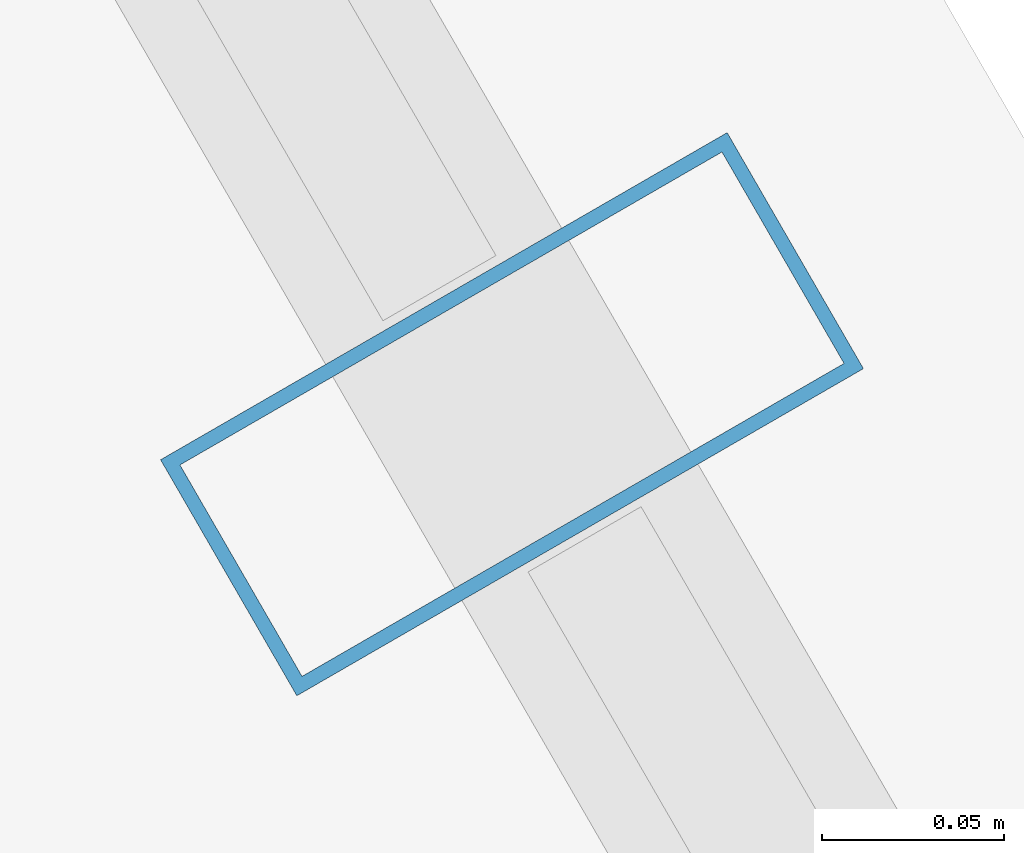
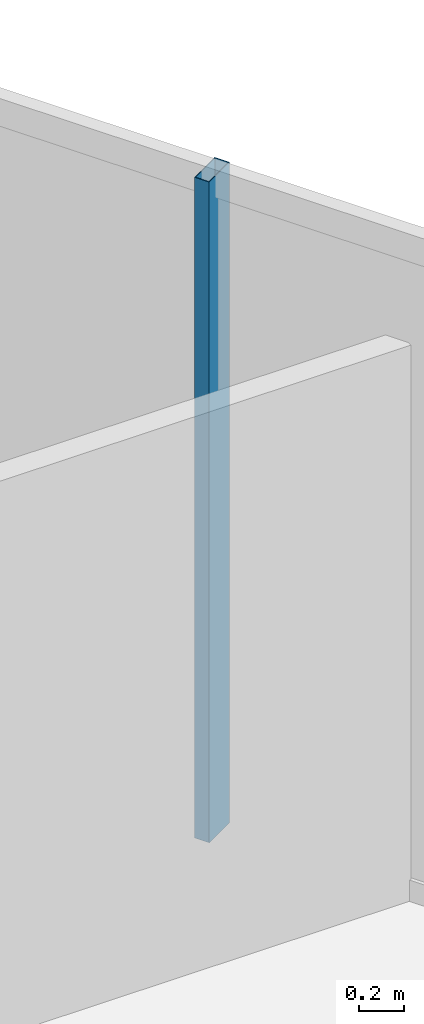
# One storey, part 17 of 35: 1 member, 1 element without a shape of its own.
"""IFC4 building model written with IfcOpenShell, lengths in metres."""

from ifc_helpers import new_model, si_unit, direction, frame, origin, origin_2d, place, context, subcontext, project, spatial, hollow_rectangle, extrude, material, layer, layer_set, material_profile, profile_set, type_object, element, aggregate, save


model = new_model("IFC4")

# Units and contexts
model_context = context("Model", 3, precision=1e-05, world=origin(), true_north=direction((0.0, 1.0)))
body_context = subcontext(model_context, "Body", "Model", "MODEL_VIEW")
ifc_project = project(units=[si_unit("LENGTHUNIT", "METRE"), si_unit("AREAUNIT", "SQUARE_METRE"), si_unit("VOLUMEUNIT", "CUBIC_METRE"), si_unit("PLANEANGLEUNIT", "RADIAN"), si_unit("MASSUNIT", "GRAM", prefix="KILO")], contexts=[model_context])

# Site, building, storey
site_placement = place(None, origin())
site = spatial("IfcSite", under=ifc_project, at=site_placement, CompositionType="ELEMENT")
building_placement = place(site_placement, origin())
building = spatial("IfcBuilding", under=site, at=building_placement, Name="Ndaravel Arena Tower", CompositionType="ELEMENT")
storey_placement = place(building_placement, frame((0.0, 0.0, 176.39990234375)))
storey = spatial("IfcBuildingStorey", under=building, at=storey_placement, Name="L42", CompositionType="ELEMENT", Elevation=176.39990234375)

# Curtain wall, member
ifc_material_1 = material(Name="Aluminium", Category="aluminium")
ifc_layer = layer(ifc_material_1, 0.179931640625)
ifc_layer_set = layer_set([ifc_layer], Name="Aluminium")
curtain_wall_type = type_object("IfcCurtainWallType", Name="CW-SYS-03", PredefinedType="NOTDEFINED", material=ifc_layer_set)
curtain_wall_placement = place(storey_placement, origin())
curtain_wall = element("IfcCurtainWall", 1, at=curtain_wall_placement, inside=storey, type_object=curtain_wall_type, Name="L42 Faceted Crystal Curtain Wall CW-L42-E03", PredefinedType="NOTDEFINED")
ifc_material_2 = material(Name="Aluminium", Category="aluminium")
ifc_material_profile = material_profile(ifc_material_2, hollow_rectangle(XDim=0.074951171875, YDim=0.179931640625, WallThickness=0.00390625, at=origin_2d()), Name="CW MULLION 75x180x4")
ifc_profile_set = profile_set([ifc_material_profile], Name="Aluminium")
member_type = type_object("IfcMemberType", Name="MEM-CW-MUL180", PredefinedType="MULLION", material=ifc_profile_set)
member_placement = place(storey_placement, frame((57.40966796875, 28.250732421875, 0.0), z_axis=(0.0, 0.0, 1.0), x_axis=(-0.5, 0.866025403784, 0.0)))
member = element("IfcMember", 2, at=member_placement, type_object=member_type, Name="CW-L42-E03 Mullion 04", PredefinedType="MULLION", context=body_context, shape_type="SweptSolid", body=[
    extrude(hollow_rectangle(XDim=0.074951171875, YDim=0.179931640625, WallThickness=0.00390625, at=origin_2d()), origin(), (0.0, 0.0, 1.0), 3.580078125),
])
aggregate(curtain_wall, [member])

save(model, "model.ifc")
